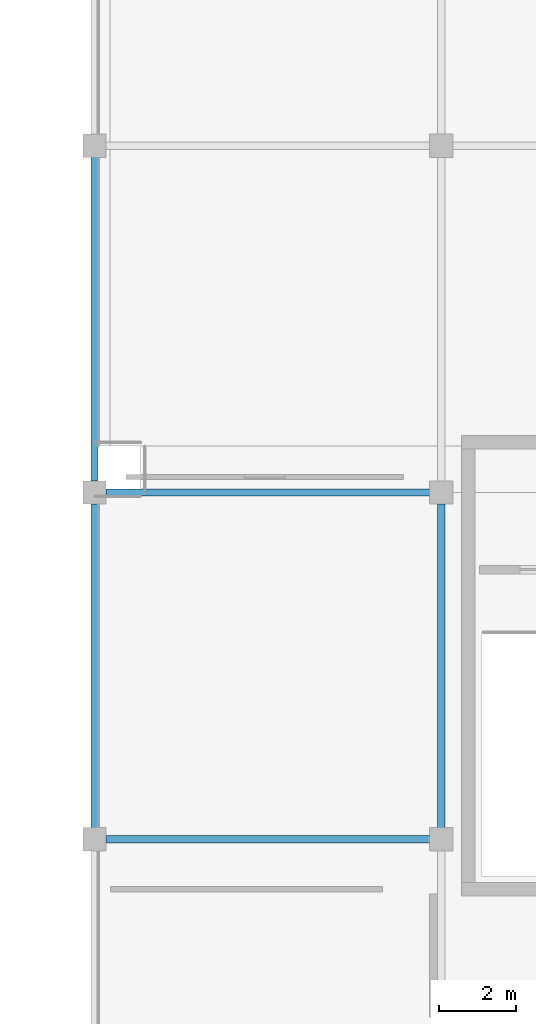
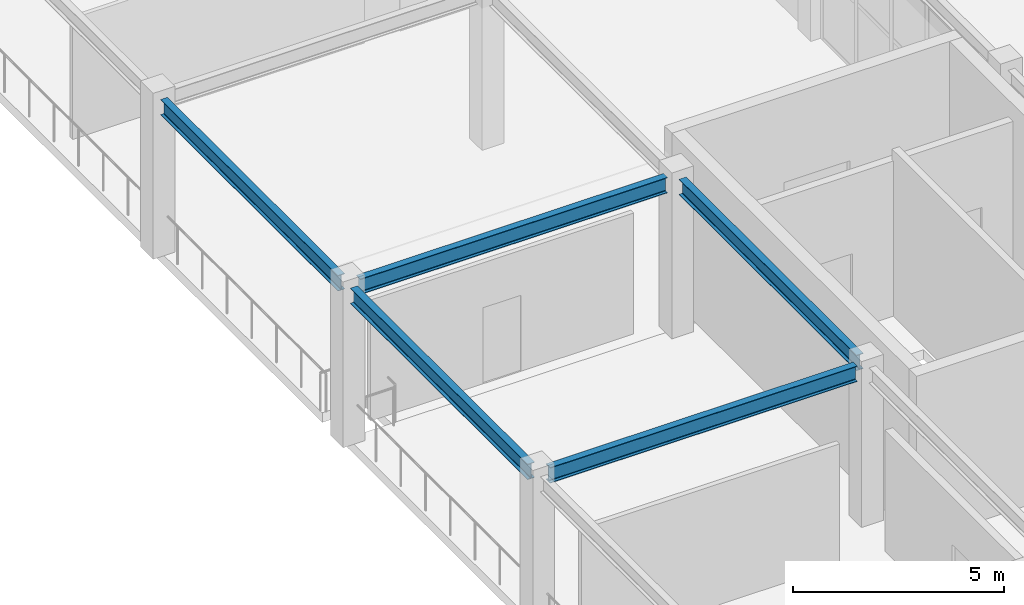
# One storey, part 85 of 167: 5 beams.
"""IFC4 building model written with IfcOpenShell, lengths in metres."""

from ifc_helpers import new_model, si_unit, direction, frame, origin, origin_2d, place, context, subcontext, project, spatial, i_section, extrude, material, material_profile, profile_set, type_object, element, save


model = new_model("IFC4")

# Units and contexts
model_context = context("Model", 3, precision=1e-05, world=origin(), true_north=direction((0.0, 1.0)))
body_context = subcontext(model_context, "Body", "Model", "MODEL_VIEW")
ifc_project = project(units=[si_unit("LENGTHUNIT", "METRE"), si_unit("AREAUNIT", "SQUARE_METRE"), si_unit("VOLUMEUNIT", "CUBIC_METRE"), si_unit("PLANEANGLEUNIT", "RADIAN"), si_unit("MASSUNIT", "GRAM", prefix="KILO")], contexts=[model_context])

# Site, building, storey
site_placement = place(None, origin())
site = spatial("IfcSite", under=ifc_project, at=site_placement, CompositionType="ELEMENT")
building_placement = place(site_placement, origin())
building = spatial("IfcBuilding", under=site, at=building_placement, Name="Dornveld Trade and Exhibition Forum", CompositionType="ELEMENT")
storey_placement = place(building_placement, frame((0.0, 0.0, 16.800048828125)))
storey = spatial("IfcBuildingStorey", under=building, at=storey_placement, Name="L03", CompositionType="ELEMENT", Elevation=16.800048828125)

# Beams
ifc_material = material(Name="Steel S355J2", Category="steel")
ifc_material_profile = material_profile(ifc_material, i_section(OverallWidth=0.18994140625, OverallDepth=0.449951171875, WebThickness=0.009521484375, FlangeThickness=0.0146484375, FilletRadius=0.02099609375, at=origin_2d()), Name="IPE 450")
ifc_profile_set = profile_set([ifc_material_profile], Name="Steel S355J2")
beam_type = type_object("IfcBeamType", Name="BM-SEC-450", PredefinedType="BEAM", material=ifc_profile_set)
for number, where, z_axis, x_axis, name in (
    (1, (198.2958984375, 18.0, 4.324951171875), (1.0, 0.0, 0.0), (0.0, 1.0, 0.0), "L03 X-girder 1609"),
    (2, (198.2958984375, 27.0, 4.324951171875), (1.0, 0.0, 0.0), (0.0, 1.0, 0.0), "L03 X-girder 1610"),
    (3, (198.0, 18.2958984375, 4.324951171875), (0.0, 1.0, 0.0), (-1.0, 0.0, 0.0), "L03 Y-girder 1619"),
    (4, (198.0, 27.2958984375, 4.324951171875), (0.0, 1.0, 0.0), (-1.0, 0.0, 0.0), "L03 Y-girder 1620"),
    (5, (207.0, 18.2958984375, 4.324951171875), (0.0, 1.0, 0.0), (-1.0, 0.0, 0.0), "L03 Y-girder 1625"),
):
    element("IfcBeam", number, at=place(storey_placement, frame(where, z_axis=z_axis, x_axis=x_axis)), inside=storey, type_object=beam_type, Name=name, PredefinedType="BEAM", context=body_context, shape_type="SweptSolid", body=[
        extrude(i_section(OverallWidth=0.18994140625, OverallDepth=0.449951171875, WebThickness=0.009521484375, FlangeThickness=0.0146484375, FilletRadius=0.02099609375, at=origin_2d()), origin(), (0.0, 0.0, 1.0), 8.408203125),
    ])

save(model, "model.ifc")
